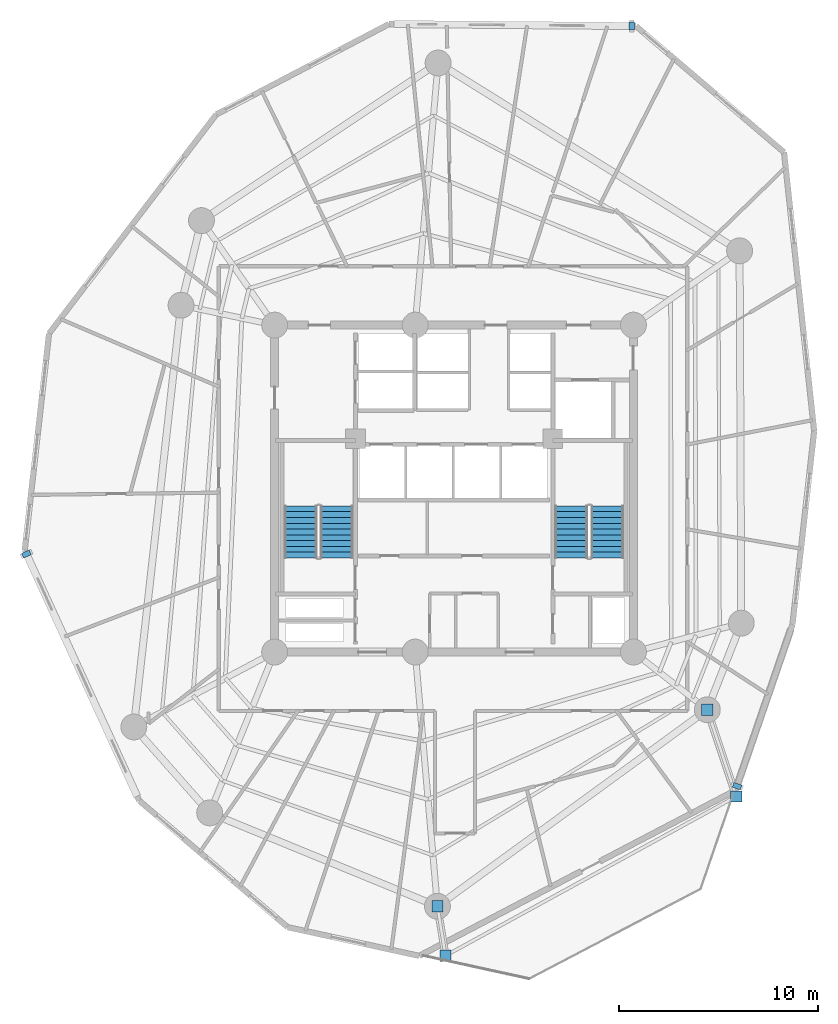
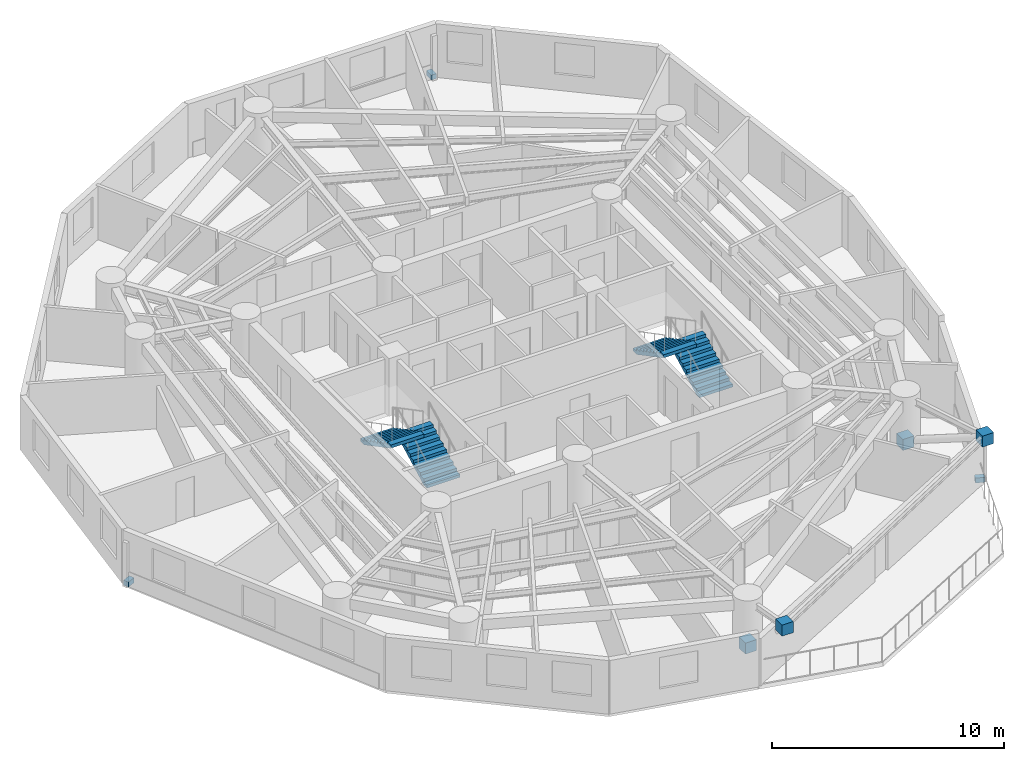
# One storey, part 7 of 10: 7 discrete accessories, 4 stair flights, 2 elements without a shape of their own.
"""IFC4 building model written with IfcOpenShell, lengths in metres."""

from ifc_helpers import new_model, si_unit, direction, frame, origin, origin_with_axes, origin_2d, place, context, subcontext, project, spatial, polyline, rectangle, outline, extrude, source, transform, mapped, material, type_object, element, aggregate, save


model = new_model("IFC4")

# Units and contexts
model_context = context("Model", 3, precision=1e-05, world=origin(), true_north=direction((0.0, 1.0)))
body_context = subcontext(model_context, "Body", "Model", "MODEL_VIEW")
ifc_project = project(units=[si_unit("LENGTHUNIT", "METRE"), si_unit("AREAUNIT", "SQUARE_METRE"), si_unit("VOLUMEUNIT", "CUBIC_METRE"), si_unit("PLANEANGLEUNIT", "RADIAN"), si_unit("MASSUNIT", "GRAM", prefix="KILO")], contexts=[model_context])

# Site, building, storey
site_placement = place(None, origin())
site = spatial("IfcSite", under=ifc_project, at=site_placement, CompositionType="ELEMENT")
building_placement = place(site_placement, origin())
building = spatial("IfcBuilding", under=site, at=building_placement, Name="Karkom Vertical University and Central Library", CompositionType="ELEMENT")
storey_placement = place(building_placement, frame((0.0, 0.0, 171.800048828125)))
storey = spatial("IfcBuildingStorey", under=building, at=storey_placement, Name="L49", CompositionType="ELEMENT", Elevation=171.800048828125)

# Stair, stair flights
ifc_material_1 = material(Name="Concrete C45/55", Category="concrete")
stair_type = type_object("IfcStairType", Name="INT-STR-ST-MAIN", PredefinedType="HALF_TURN_STAIR", material=ifc_material_1)
stair_1_placement = place(storey_placement, origin())
stair_1 = element("IfcStair", 1, at=stair_1_placement, inside=storey, type_object=stair_type, Name="Level 49 Tower Protected Exit Stair ST-1", PredefinedType="HALF_TURN_STAIR")
stair_flight_type = type_object("IfcStairFlightType", Name="INT-SFL-ST-MAIN", PredefinedType="STRAIGHT", material=ifc_material_1)
stair_flight_1_placement = place(storey_placement, frame((22.614990234375, 23.02001953125, 0.0), z_axis=(0.0, 0.0, 1.0), x_axis=(0.0, 1.0, 0.0)))
stair_flight_1 = element("IfcStairFlight", 2, at=stair_flight_1_placement, type_object=stair_flight_type, Name="ST-1 flight 1", NumberOfRisers=10, NumberOfTreads=9, PredefinedType="STRAIGHT", RiserHeight=0.1525, TreadLength=0.29, context=body_context, shape_type="SweptSolid", body=[
    extrude(outline(polyline([(0.0, 0.0), (0.0, 0.152587890625), (0.2900390625, 0.152587890625), (0.2900390625, 0.304931640625), (0.580078125, 0.304931640625), (0.580078125, 0.45751953125), (0.8701171875, 0.45751953125), (0.8701171875, 0.610107421875), (1.159912109375, 0.610107421875), (1.159912109375, 0.762451171875), (1.449951171875, 0.762451171875), (1.449951171875, 0.9150390625), (1.739990234375, 0.9150390625), (1.739990234375, 1.0673828125), (2.030029296875, 1.0673828125), (2.030029296875, 1.219970703125), (2.320068359375, 1.219970703125), (2.320068359375, 1.37255859375), (2.610107421875, 1.37255859375), (2.610107421875, 1.52490234375), (2.610107421875, 1.203125), (0.322021484375, 0.0), (0.0, 0.0)])), frame((0.0, 0.824951171875, 0.0), z_axis=(0.0, -1.0, 0.0), x_axis=(1.0, 0.0, 0.0)), (0.0, 0.0, 1.0), 1.64990234375),
])
stair_flight_2_placement = place(storey_placement, frame((20.804931640625, 25.6298828125, 1.52490234375), z_axis=(0.0, 0.0, 1.0), x_axis=(0.0, -1.0, 0.0)))
stair_flight_2 = element("IfcStairFlight", 3, at=stair_flight_2_placement, type_object=stair_flight_type, Name="ST-1 flight 2", NumberOfRisers=10, NumberOfTreads=9, PredefinedType="STRAIGHT", RiserHeight=0.1525, TreadLength=0.29, context=body_context, shape_type="SweptSolid", body=[
    extrude(outline(polyline([(0.0, 0.0), (0.0, 0.152587890625), (0.2900390625, 0.152587890625), (0.2900390625, 0.304931640625), (0.580078125, 0.304931640625), (0.580078125, 0.45751953125), (0.8701171875, 0.45751953125), (0.8701171875, 0.610107421875), (1.159912109375, 0.610107421875), (1.159912109375, 0.762451171875), (1.449951171875, 0.762451171875), (1.449951171875, 0.9150390625), (1.739990234375, 0.9150390625), (1.739990234375, 1.0673828125), (2.030029296875, 1.0673828125), (2.030029296875, 1.219970703125), (2.320068359375, 1.219970703125), (2.320068359375, 1.37255859375), (2.610107421875, 1.37255859375), (2.610107421875, 1.52490234375), (2.610107421875, 1.203125), (0.322021484375, 0.0), (0.0, 0.0)])), frame((0.0, 0.824951171875, 0.0), z_axis=(0.0, -1.0, 0.0), x_axis=(1.0, 0.0, 0.0)), (0.0, 0.0, 1.0), 1.64990234375),
])
aggregate(stair_1, [stair_flight_1, stair_flight_2])

stair_2_placement = place(storey_placement, origin())
stair_2 = element("IfcStair", 4, at=stair_2_placement, inside=storey, type_object=stair_type, Name="Level 49 Tower Protected Exit Stair ST-2", PredefinedType="HALF_TURN_STAIR")
stair_flight_3_placement = place(storey_placement, frame((36.195068359375, 23.02001953125, 0.0), z_axis=(0.0, 0.0, 1.0), x_axis=(0.0, 1.0, 0.0)))
stair_flight_3 = element("IfcStairFlight", 5, at=stair_flight_3_placement, type_object=stair_flight_type, Name="ST-2 flight 1", NumberOfRisers=10, NumberOfTreads=9, PredefinedType="STRAIGHT", RiserHeight=0.1525, TreadLength=0.29, context=body_context, shape_type="SweptSolid", body=[
    extrude(outline(polyline([(0.0, 0.0), (0.0, 0.152587890625), (0.2900390625, 0.152587890625), (0.2900390625, 0.304931640625), (0.580078125, 0.304931640625), (0.580078125, 0.45751953125), (0.8701171875, 0.45751953125), (0.8701171875, 0.610107421875), (1.159912109375, 0.610107421875), (1.159912109375, 0.762451171875), (1.449951171875, 0.762451171875), (1.449951171875, 0.9150390625), (1.739990234375, 0.9150390625), (1.739990234375, 1.0673828125), (2.030029296875, 1.0673828125), (2.030029296875, 1.219970703125), (2.320068359375, 1.219970703125), (2.320068359375, 1.37255859375), (2.610107421875, 1.37255859375), (2.610107421875, 1.52490234375), (2.610107421875, 1.203125), (0.322021484375, 0.0), (0.0, 0.0)])), frame((0.0, 0.824951171875, 0.0), z_axis=(0.0, -1.0, 0.0), x_axis=(1.0, 0.0, 0.0)), (0.0, 0.0, 1.0), 1.64990234375),
])
stair_flight_4_placement = place(storey_placement, frame((34.385009765625, 25.6298828125, 1.52490234375), z_axis=(0.0, 0.0, 1.0), x_axis=(0.0, -1.0, 0.0)))
stair_flight_4 = element("IfcStairFlight", 6, at=stair_flight_4_placement, type_object=stair_flight_type, Name="ST-2 flight 2", NumberOfRisers=10, NumberOfTreads=9, PredefinedType="STRAIGHT", RiserHeight=0.1525, TreadLength=0.29, context=body_context, shape_type="SweptSolid", body=[
    extrude(outline(polyline([(0.0, 0.0), (0.0, 0.152587890625), (0.2900390625, 0.152587890625), (0.2900390625, 0.304931640625), (0.580078125, 0.304931640625), (0.580078125, 0.45751953125), (0.8701171875, 0.45751953125), (0.8701171875, 0.610107421875), (1.159912109375, 0.610107421875), (1.159912109375, 0.762451171875), (1.449951171875, 0.762451171875), (1.449951171875, 0.9150390625), (1.739990234375, 0.9150390625), (1.739990234375, 1.0673828125), (2.030029296875, 1.0673828125), (2.030029296875, 1.219970703125), (2.320068359375, 1.219970703125), (2.320068359375, 1.37255859375), (2.610107421875, 1.37255859375), (2.610107421875, 1.52490234375), (2.610107421875, 1.203125), (0.322021484375, 0.0), (0.0, 0.0)])), frame((0.0, 0.824951171875, 0.0), z_axis=(0.0, -1.0, 0.0), x_axis=(1.0, 0.0, 0.0)), (0.0, 0.0, 1.0), 1.64990234375),
])
aggregate(stair_2, [stair_flight_3, stair_flight_4])

# Discrete accessories
ifc_material_2 = material(Name="Ductile cast iron EN-GJS-400-15", Category="metal")
discrete_accessory_type_1 = type_object("IfcDiscreteAccessoryType", Name="STR-ACC-NODECAP", PredefinedType="BRACKET", material=ifc_material_2)
shared_shape_1 = source(origin_with_axes(), body_context, "Body", "SweptSolid", [
    extrude(rectangle(XDim=0.56005859375, YDim=0.56005859375, at=origin_2d()), origin(), (0.0, 0.0, 1.0), 0.580078125),
])
for number, where, z_axis, x_axis, name in (
    (7, (27.666015625, 5.549072265625, 0.059814453125), (0.0, 0.0, 1.0), (1.0, 0.0, 0.0), "Level 49 Cast Node Connector L49-SKG-KNEE-1 A"),
    (8, (28.07177734375, 3.068603515625, 2.369873046875), (0.0, 0.0, 1.0), (1.0, 0.0, 0.0), "Level 49 Cast Node Connector L49-SKG-KNEE-1 B"),
    (9, (41.2041015625, 15.406005859375, 0.059814453125), (0.0, 0.0, 1.0), (1.0, 0.0, 0.0), "Level 49 Cast Node Connector L49-SKG-KNEE-2 A"),
    (10, (42.65185546875, 11.05908203125, 2.369873046875), (0.0, 0.0, 1.0), (1.0, 0.0, 0.0), "Level 49 Cast Node Connector L49-SKG-KNEE-2 B"),
):
    element("IfcDiscreteAccessory", number, at=place(storey_placement, frame(where, z_axis=z_axis, x_axis=x_axis)), inside=storey, type_object=discrete_accessory_type_1, Name=name, PredefinedType="BRACKET", context=body_context, shape_type="MappedRepresentation", body=[
        mapped(shared_shape_1, transform((0.0, 0.0, 0.0), scale=1.0)),
    ])
ifc_material_3 = material(Name="Austenitic stainless steel 316", Category="steel")
discrete_accessory_type_2 = type_object("IfcDiscreteAccessoryType", Name="INT-ACC-BRACKET", PredefinedType="BRACKET", material=ifc_material_3)
shared_shape_2 = source(origin_with_axes(), body_context, "Body", "SweptSolid", [
    extrude(rectangle(XDim=0.260009765625, YDim=0.419921875, at=origin_2d()), origin(), (0.0, 0.0, 1.0), 0.260009765625),
])
for number, where, z_axis, x_axis, name in (
    (11, (7.04931640625, 23.218017578125, 0.0), (0.0, 0.0, 1.0), (0.415645924316, -0.909526506266, 0.0), "Level 49 Sun-Breaker Stainless Corbel Bracket 22"),
    (12, (42.696533203125, 11.5751953125, 0.0), (0.0, 0.0, 1.0), (0.32490797868, 0.945745634613, 0.0), "Level 49 Sun-Breaker Stainless Corbel Bracket 23"),
    (13, (37.411376953125, 49.70556640625, 0.0), (0.0, 0.0, 1.0), (-0.999964908278, 0.008377482415, 0.0), "Level 49 Sun-Breaker Stainless Corbel Bracket 24"),
):
    element("IfcDiscreteAccessory", number, at=place(storey_placement, frame(where, z_axis=z_axis, x_axis=x_axis)), inside=storey, type_object=discrete_accessory_type_2, Name=name, PredefinedType="BRACKET", context=body_context, shape_type="MappedRepresentation", body=[
        mapped(shared_shape_2, transform((0.0, 0.0, 0.0), scale=1.0)),
    ])

save(model, "model.ifc")
